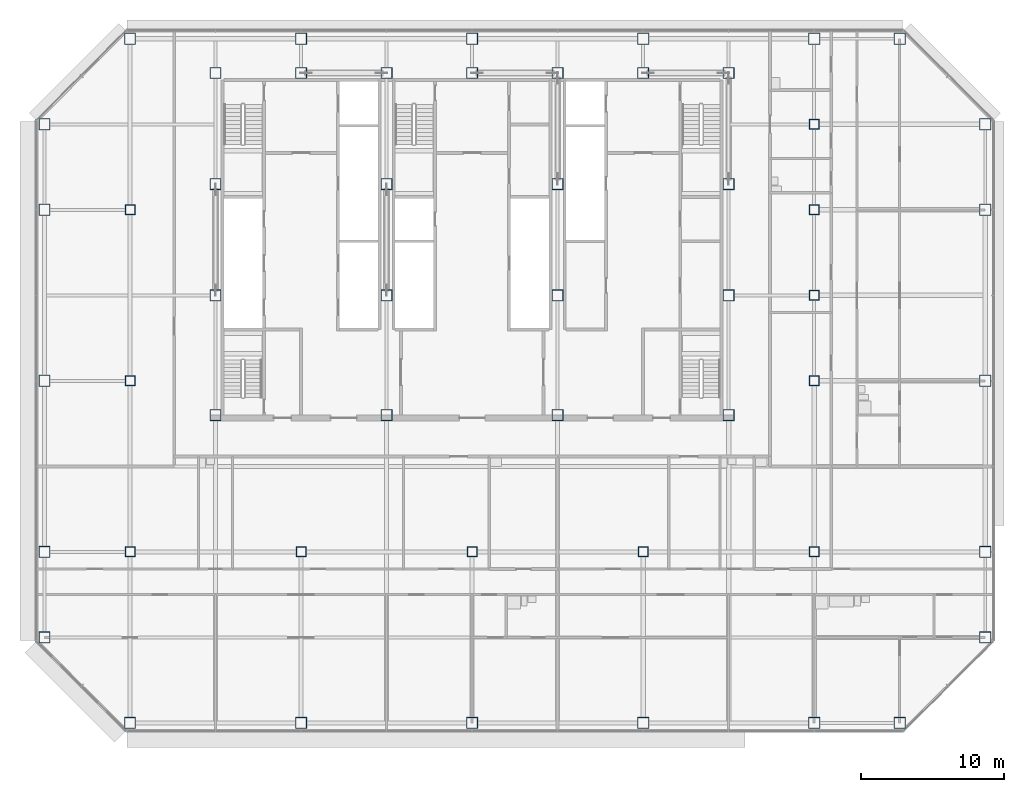
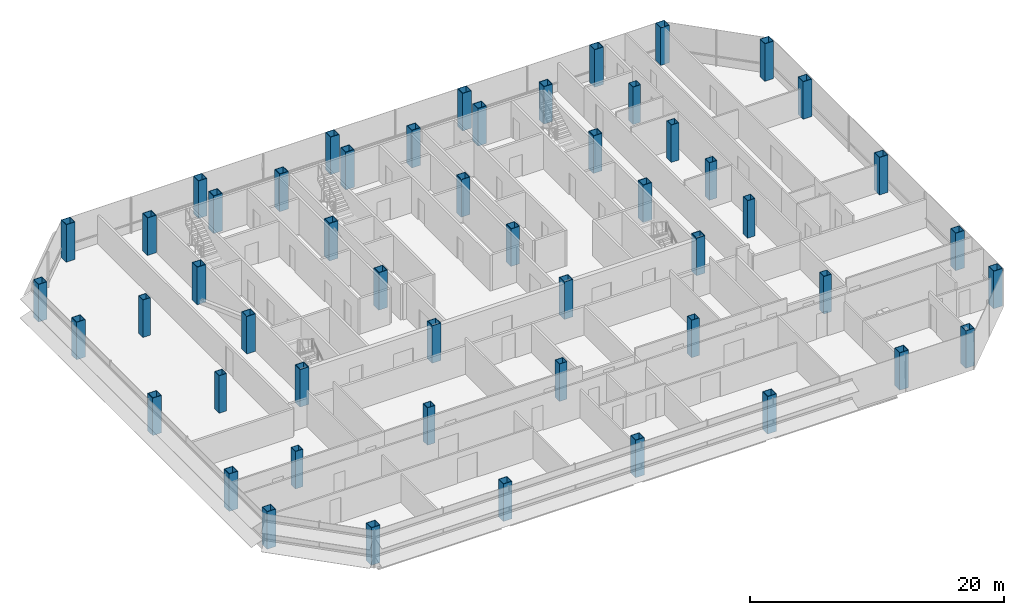
# One storey, part 1 of 25: 52 columns.
"""IFC4 building model written with IfcOpenShell, lengths in metres."""

import ifcopenshell
import ifcopenshell.guid

model = None  # the IFC model being written
_history = None  # IfcOwnerHistory: only IFC2X3 demands one
_inside = {}  # id of a spatial element -> (the spatial element, [elements in it])
_under = {}  # id of a project, library or spatial element -> (it, [spatial elements below it])
_declared = {}  # id of a project -> (the project, [libraries it declares])
_typed = {}  # id of a type object -> (the type object, [elements of that type])
_made_of = {}  # id of a material, layer set ... -> (it, [elements and type objects made of it])


def new_model(schema):
    """Start an empty IFC model of exactly this schema.

    Asked for "IFC4X3", IfcOpenShell would pick the latest addendum, in which some entities
    have other attributes; the version numbers below select the first issue.
    IFC2X3 requires an IfcOwnerHistory on every rooted entity: one is made here for all.
    """
    global model, _history
    if schema == "IFC4X3":
        model = ifcopenshell.file(schema_version=(4, 3, 0, 0))
    else:
        model = ifcopenshell.file(schema=schema)
    _inside.clear()
    _under.clear()
    _declared.clear()
    _typed.clear()
    _made_of.clear()
    _history = None
    if model.schema == "IFC2X3":
        org = make("IfcOrganization", Name="unknown")
        user = make(
            "IfcPersonAndOrganization",
            ThePerson=make("IfcPerson", FamilyName="unknown"),
            TheOrganization=org,
        )
        app = make(
            "IfcApplication",
            ApplicationDeveloper=org,
            Version="unknown",
            ApplicationFullName="unknown",
            ApplicationIdentifier="unknown",
        )
        _history = make(
            "IfcOwnerHistory",
            OwningUser=user,
            OwningApplication=app,
            ChangeAction="ADDED",
            CreationDate=0,
        )
    return model


def make(cls, **values):
    """One entity of the class cls with the attributes given. An attribute that is None is left unset."""
    return model.create_entity(
        cls, **{name: value for name, value in values.items() if value is not None}
    )


def rooted(cls, **values):
    """An entity with a GlobalId (a new one), such as an element, a storey or a relation."""
    return make(cls, GlobalId=ifcopenshell.guid.new(), OwnerHistory=_history, **values)


def si_unit(unit_type, name, prefix=None):
    """IfcSIUnit, for example si_unit("LENGTHUNIT", "METRE", prefix="MILLI")."""
    return make("IfcSIUnit", UnitType=unit_type, Prefix=prefix, Name=name)


def assignment(units):
    """IfcUnitAssignment: the units of a project."""
    return None if units is None else make("IfcUnitAssignment", Units=units)


def point(xyz):
    """IfcCartesianPoint."""
    return None if xyz is None else make("IfcCartesianPoint", Coordinates=xyz)


def direction(xyz):
    """IfcDirection."""
    return None if xyz is None else make("IfcDirection", DirectionRatios=xyz)


def frame(location, z_axis=None, x_axis=None):
    """IfcAxis2Placement3D, a coordinate frame: its origin and axes. An axis left out is left unset."""
    return make(
        "IfcAxis2Placement3D",
        Location=point(location),
        Axis=direction(z_axis),
        RefDirection=direction(x_axis),
    )


def frame_2d(location, x_axis=None):
    """IfcAxis2Placement2D, a coordinate frame in the plane: its origin and x axis."""
    return make(
        "IfcAxis2Placement2D", Location=point(location), RefDirection=direction(x_axis)
    )


def origin():
    """The frame at (0, 0, 0) with its axes left unset."""
    return frame((0.0, 0.0, 0.0))


def origin_2d():
    """The frame at (0, 0) in the plane with its x axis left unset."""
    return frame_2d((0.0, 0.0))


def place(relative_to, where):
    """IfcLocalPlacement: puts the frame where relative to a parent placement (None: the world)."""
    return make(
        "IfcLocalPlacement", PlacementRelTo=relative_to, RelativePlacement=where
    )


def context(
    kind, dimensions, precision=None, world=None, true_north=None, identifier=None
):
    """IfcGeometricRepresentationContext, for example the 3D "Model" context."""
    return make(
        "IfcGeometricRepresentationContext",
        ContextIdentifier=identifier,
        ContextType=kind,
        CoordinateSpaceDimension=dimensions,
        Precision=precision,
        WorldCoordinateSystem=world,
        TrueNorth=true_north,
    )


def subcontext(parent, identifier, kind, view, scale=None):
    """IfcGeometricRepresentationSubContext, for example "Body" below "Model"."""
    return make(
        "IfcGeometricRepresentationSubContext",
        ContextIdentifier=identifier,
        ContextType=kind,
        ParentContext=parent,
        TargetScale=scale,
        TargetView=view,
    )


def project(units=None, contexts=None):
    """IfcProject with its units and contexts."""
    return rooted(
        "IfcProject",
        Name="project",
        RepresentationContexts=contexts,
        UnitsInContext=assignment(units),
    )


def spatial(cls, under=None, at=None, **own):
    """A site, building, storey or space (cls), placed at a placement, below another one or the project."""
    s = rooted(cls, ObjectPlacement=at, **own)
    if under is not None:
        _under.setdefault(under.id(), (under, []))[1].append(s)
    return s


def profile(cls, at=None, kind="AREA", **sizes):
    """A parametric profile (cls). Its sizes go by their IFC names, for example OverallWidth=200.0."""
    return make(cls, ProfileType=kind, Position=at, **sizes)


def hollow_rectangle(**sizes):
    """IfcRectangleHollowProfileDef."""
    return profile("IfcRectangleHollowProfileDef", **sizes)


def extrude(swept, where, along, depth):
    """IfcExtrudedAreaSolid: the profile swept, set in the frame where, extruded along a direction by depth."""
    return make(
        "IfcExtrudedAreaSolid",
        SweptArea=swept,
        Position=where,
        ExtrudedDirection=direction(along),
        Depth=depth,
    )


def shape(context_of_items, identifier, shape_type, items):
    """IfcShapeRepresentation: the items that make up one representation, for example the "Body"."""
    return make(
        "IfcShapeRepresentation",
        ContextOfItems=context_of_items,
        RepresentationIdentifier=identifier,
        RepresentationType=shape_type,
        Items=items,
    )


def material(Name=None, Category=None):
    """IfcMaterial."""
    return make("IfcMaterial", Name=Name, Category=Category)


def material_profile(
    of_material, cross_section, Name=None, Category=None, Priority=None
):
    """IfcMaterialProfile: a cross section and its material."""
    return make(
        "IfcMaterialProfile",
        Name=Name,
        Material=of_material,
        Profile=cross_section,
        Priority=Priority,
        Category=Category,
    )


def profile_set(profiles, Name=None, composite=None):
    """IfcMaterialProfileSet."""
    return make(
        "IfcMaterialProfileSet",
        Name=Name,
        MaterialProfiles=profiles,
        CompositeProfile=composite,
    )


def made_of(thing, what):
    """Note that an element or type object is made of a material, layer set ...; save() writes the relation."""
    if what is not None:
        _made_of.setdefault(what.id(), (what, []))[1].append(thing)
    return thing


def type_object(cls, material=None, **own):
    """A type object (cls), such as IfcWallType, which elements share."""
    return made_of(rooted(cls, **own), material)


def element(
    cls,
    number,
    at=None,
    inside=None,
    cuts=None,
    type_object=None,
    material=None,
    context=None,
    identifier="Body",
    shape_type=None,
    held_by="IfcProductDefinitionShape",
    body=None,
    shapes=None,
    **own,
):
    """One element of the class cls, such as IfcWall. Its Tag is "e" and its number.

    at: its placement. inside: the storey or other place that contains it. cuts: it is an
    opening in that element (IfcRelVoidsElement). A single representation is given by context,
    identifier, shape_type and body (its items); several are given by shapes. held_by: the class
    of the entity that holds the representations. save() writes the other relations.
    """
    e = rooted(cls, Tag="e%d" % number, ObjectPlacement=at, **own)
    if body is not None:
        shapes = [shape(context, identifier, shape_type, body)]
    if shapes is not None:
        e.Representation = make(held_by, Representations=shapes)
    if inside is not None:
        _inside.setdefault(inside.id(), (inside, []))[1].append(e)
    if cuts is not None:
        rooted(
            "IfcRelVoidsElement", RelatingBuildingElement=cuts, RelatedOpeningElement=e
        )
    if type_object is not None:
        _typed.setdefault(type_object.id(), (type_object, []))[1].append(e)
    return made_of(e, material)


def aggregate(whole, parts):
    """IfcRelAggregates: a whole, such as a stair, and the parts it consists of."""
    return rooted("IfcRelAggregates", RelatingObject=whole, RelatedObjects=parts)


def save(model, path):
    """Write the relations noted so far, then the file.

    IfcRelAggregates (storeys below a building ...), IfcRelContainedInSpatialStructure (elements
    in a storey), IfcRelDefinesByType, IfcRelAssociatesMaterial and IfcRelDeclares: one each for
    every whole, place, type object, material and project.
    """
    for whole, parts in _under.values():
        aggregate(whole, parts)
    for where, things in _inside.values():
        rooted(
            "IfcRelContainedInSpatialStructure",
            RelatedElements=things,
            RelatingStructure=where,
        )
    for kind, things in _typed.values():
        rooted("IfcRelDefinesByType", RelatedObjects=things, RelatingType=kind)
    for what, things in _made_of.values():
        rooted("IfcRelAssociatesMaterial", RelatedObjects=things, RelatingMaterial=what)
    for by, libraries in _declared.values():
        rooted("IfcRelDeclares", RelatingContext=by, RelatedDefinitions=libraries)
    model.write(path)


model = new_model("IFC4")

# Units and contexts
model_context = context("Model", 3, precision=1e-05, world=origin(), true_north=direction((0.0, 1.0)))
body_context = subcontext(model_context, "Body", "Model", "MODEL_VIEW")
ifc_project = project(units=[si_unit("LENGTHUNIT", "METRE"), si_unit("AREAUNIT", "SQUARE_METRE"), si_unit("VOLUMEUNIT", "CUBIC_METRE"), si_unit("PLANEANGLEUNIT", "RADIAN"), si_unit("MASSUNIT", "GRAM", prefix="KILO")], contexts=[model_context])

# Site, building, storey
site_placement = place(None, origin())
site = spatial("IfcSite", under=ifc_project, at=site_placement, CompositionType="ELEMENT")
building_placement = place(site_placement, origin())
building = spatial("IfcBuilding", under=site, at=building_placement, Name="Sorahane Residences", CompositionType="ELEMENT")
storey_placement = place(building_placement, frame((0.0, 0.0, 130.39990234375)))
storey = spatial("IfcBuildingStorey", under=building, at=storey_placement, Name="L29", CompositionType="ELEMENT", Elevation=130.39990234375)

# Columns
ifc_material_1 = material(Name="Steel Q355B", Category="steel")
ifc_material_profile_1 = material_profile(ifc_material_1, hollow_rectangle(XDim=0.699951171875, YDim=0.699951171875, WallThickness=0.035888671875, at=origin_2d()), Name="BOX 700x700x36")
ifc_profile_set_1 = profile_set([ifc_material_profile_1], Name="Steel Q355B")
column_type_1 = type_object("IfcColumnType", Name="Steel box column BOX 700x700x36 Q355B", PredefinedType="COLUMN", material=ifc_profile_set_1)
for number, where, z_axis, x_axis, name in (
    (1, (0.0, 12.0, 0.0), (0.0, 0.0, 1.0), (1.0, 0.0, 0.0), "Column L29 0/12"),
    (2, (0.0, 24.0, 0.0), (0.0, 0.0, 1.0), (1.0, 0.0, 0.0), "Column L29 0/24"),
    (3, (0.0, 36.0, 0.0), (0.0, 0.0, 1.0), (1.0, 0.0, 0.0), "Column L29 0/36"),
    (4, (12.0, 12.0, 0.0), (0.0, 0.0, 1.0), (1.0, 0.0, 0.0), "Column L29 12/12"),
    (5, (24.0, 12.0, 0.0), (0.0, 0.0, 1.0), (1.0, 0.0, 0.0), "Column L29 24/12"),
    (6, (36.0, 12.0, 0.0), (0.0, 0.0, 1.0), (1.0, 0.0, 0.0), "Column L29 36/12"),
    (7, (48.0, 12.0, 0.0), (0.0, 0.0, 1.0), (1.0, 0.0, 0.0), "Column L29 48/12"),
    (8, (48.0, 24.0, 0.0), (0.0, 0.0, 1.0), (1.0, 0.0, 0.0), "Column L29 48/24"),
    (9, (48.0, 30.0, 0.0), (0.0, 0.0, 1.0), (1.0, 0.0, 0.0), "Column L29 48/30"),
    (10, (48.0, 36.0, 0.0), (0.0, 0.0, 1.0), (1.0, 0.0, 0.0), "Column L29 48/36"),
    (11, (48.0, 42.0, 0.0), (0.0, 0.0, 1.0), (1.0, 0.0, 0.0), "Column L29 48/42"),
):
    element("IfcColumn", number, at=place(storey_placement, frame(where, z_axis=z_axis, x_axis=x_axis)), inside=storey, type_object=column_type_1, Name=name, PredefinedType="COLUMN", context=body_context, shape_type="SweptSolid", body=[
        extrude(hollow_rectangle(XDim=0.699951171875, YDim=0.699951171875, WallThickness=0.035888671875, at=origin_2d()), origin(), (0.0, 0.0, 1.0), 3.60009765625),
    ])
ifc_material_2 = material(Name="Steel Q355B", Category="steel")
ifc_material_profile_2 = material_profile(ifc_material_2, hollow_rectangle(XDim=0.800048828125, YDim=0.800048828125, WallThickness=0.0400390625, at=origin_2d()), Name="BOX 800x800x40")
ifc_profile_set_2 = profile_set([ifc_material_profile_2], Name="Steel Q355B")
column_type_2 = type_object("IfcColumnType", Name="Steel box column BOX 800x800x40 Q355B", PredefinedType="COLUMN", material=ifc_profile_set_2)
for number, where, z_axis, x_axis, name in (
    (12, (-6.0, 6.0, 0.0), (0.0, 0.0, 1.0), (1.0, 0.0, 0.0), "Column L29 m6/6"),
    (13, (-6.0, 12.0, 0.0), (0.0, 0.0, 1.0), (1.0, 0.0, 0.0), "Column L29 m6/12"),
    (14, (-6.0, 24.0, 0.0), (0.0, 0.0, 1.0), (1.0, 0.0, 0.0), "Column L29 m6/24"),
    (15, (-6.0, 36.0, 0.0), (0.0, 0.0, 1.0), (1.0, 0.0, 0.0), "Column L29 m6/36"),
    (16, (-6.0, 42.0, 0.0), (0.0, 0.0, 1.0), (1.0, 0.0, 0.0), "Column L29 m6/42"),
    (17, (0.0, 0.0, 0.0), (0.0, 0.0, 1.0), (1.0, 0.0, 0.0), "Column L29 0/0"),
    (18, (0.0, 48.0, 0.0), (0.0, 0.0, 1.0), (1.0, 0.0, 0.0), "Column L29 0/48"),
    (19, (12.0, 0.0, 0.0), (0.0, 0.0, 1.0), (1.0, 0.0, 0.0), "Column L29 12/0"),
    (20, (12.0, 48.0, 0.0), (0.0, 0.0, 1.0), (1.0, 0.0, 0.0), "Column L29 12/48"),
    (21, (24.0, 0.0, 0.0), (0.0, 0.0, 1.0), (1.0, 0.0, 0.0), "Column L29 24/0"),
    (22, (24.0, 48.0, 0.0), (0.0, 0.0, 1.0), (1.0, 0.0, 0.0), "Column L29 24/48"),
    (23, (36.0, 0.0, 0.0), (0.0, 0.0, 1.0), (1.0, 0.0, 0.0), "Column L29 36/0"),
    (24, (36.0, 48.0, 0.0), (0.0, 0.0, 1.0), (1.0, 0.0, 0.0), "Column L29 36/48"),
    (25, (48.0, 0.0, 0.0), (0.0, 0.0, 1.0), (1.0, 0.0, 0.0), "Column L29 48/0"),
    (26, (48.0, 48.0, 0.0), (0.0, 0.0, 1.0), (1.0, 0.0, 0.0), "Column L29 48/48"),
    (27, (54.0, 0.0, 0.0), (0.0, 0.0, 1.0), (1.0, 0.0, 0.0), "Column L29 54/0"),
    (28, (54.0, 48.0, 0.0), (0.0, 0.0, 1.0), (1.0, 0.0, 0.0), "Column L29 54/48"),
    (29, (60.0, 6.0, 0.0), (0.0, 0.0, 1.0), (1.0, 0.0, 0.0), "Column L29 60/6"),
    (30, (60.0, 12.0, 0.0), (0.0, 0.0, 1.0), (1.0, 0.0, 0.0), "Column L29 60/12"),
    (31, (60.0, 24.0, 0.0), (0.0, 0.0, 1.0), (1.0, 0.0, 0.0), "Column L29 60/24"),
    (32, (60.0, 36.0, 0.0), (0.0, 0.0, 1.0), (1.0, 0.0, 0.0), "Column L29 60/36"),
    (33, (60.0, 42.0, 0.0), (0.0, 0.0, 1.0), (1.0, 0.0, 0.0), "Column L29 60/42"),
):
    element("IfcColumn", number, at=place(storey_placement, frame(where, z_axis=z_axis, x_axis=x_axis)), inside=storey, type_object=column_type_2, Name=name, PredefinedType="COLUMN", context=body_context, shape_type="SweptSolid", body=[
        extrude(hollow_rectangle(XDim=0.800048828125, YDim=0.800048828125, WallThickness=0.0400390625, at=origin_2d()), origin(), (0.0, 0.0, 1.0), 3.60009765625),
    ])
ifc_material_3 = material(Name="Steel Q420GJ", Category="steel")
ifc_material_profile_3 = material_profile(ifc_material_3, hollow_rectangle(XDim=0.800048828125, YDim=0.800048828125, WallThickness=0.050048828125, at=origin_2d()), Name="BOX 800x800x50")
ifc_profile_set_3 = profile_set([ifc_material_profile_3], Name="Steel Q420GJ")
column_type_3 = type_object("IfcColumnType", Name="Steel box column BOX 800x800x50 Q420GJ", PredefinedType="COLUMN", material=ifc_profile_set_3)
for number, where, z_axis, x_axis, name in (
    (34, (6.0, 21.60009765625, 0.0), (0.0, 0.0, 1.0), (1.0, 0.0, 0.0), "Column L29 6/21.6"),
    (35, (6.0, 30.0, 0.0), (0.0, 0.0, 1.0), (1.0, 0.0, 0.0), "Column L29 6/30"),
    (36, (6.0, 37.800048828125, 0.0), (0.0, 0.0, 1.0), (1.0, 0.0, 0.0), "Column L29 6/37.8"),
    (37, (6.0, 45.60009765625, 0.0), (0.0, 0.0, 1.0), (1.0, 0.0, 0.0), "Column L29 6/45.6"),
    (38, (12.0, 45.60009765625, 0.0), (0.0, 0.0, 1.0), (1.0, 0.0, 0.0), "Column L29 12/45.6"),
    (39, (18.0, 21.60009765625, 0.0), (0.0, 0.0, 1.0), (1.0, 0.0, 0.0), "Column L29 18/21.6"),
    (40, (18.0, 30.0, 0.0), (0.0, 0.0, 1.0), (1.0, 0.0, 0.0), "Column L29 18/30"),
    (41, (18.0, 37.800048828125, 0.0), (0.0, 0.0, 1.0), (1.0, 0.0, 0.0), "Column L29 18/37.8"),
    (42, (18.0, 45.60009765625, 0.0), (0.0, 0.0, 1.0), (1.0, 0.0, 0.0), "Column L29 18/45.6"),
    (43, (24.0, 45.60009765625, 0.0), (0.0, 0.0, 1.0), (1.0, 0.0, 0.0), "Column L29 24/45.6"),
    (44, (30.0, 21.60009765625, 0.0), (0.0, 0.0, 1.0), (1.0, 0.0, 0.0), "Column L29 30/21.6"),
    (45, (30.0, 30.0, 0.0), (0.0, 0.0, 1.0), (1.0, 0.0, 0.0), "Column L29 30/30"),
    (46, (30.0, 37.800048828125, 0.0), (0.0, 0.0, 1.0), (1.0, 0.0, 0.0), "Column L29 30/37.8"),
    (47, (30.0, 45.60009765625, 0.0), (0.0, 0.0, 1.0), (1.0, 0.0, 0.0), "Column L29 30/45.6"),
    (48, (36.0, 45.60009765625, 0.0), (0.0, 0.0, 1.0), (1.0, 0.0, 0.0), "Column L29 36/45.6"),
    (49, (42.0, 21.60009765625, 0.0), (0.0, 0.0, 1.0), (1.0, 0.0, 0.0), "Column L29 42/21.6"),
    (50, (42.0, 30.0, 0.0), (0.0, 0.0, 1.0), (1.0, 0.0, 0.0), "Column L29 42/30"),
    (51, (42.0, 37.800048828125, 0.0), (0.0, 0.0, 1.0), (1.0, 0.0, 0.0), "Column L29 42/37.8"),
    (52, (42.0, 45.60009765625, 0.0), (0.0, 0.0, 1.0), (1.0, 0.0, 0.0), "Column L29 42/45.6"),
):
    element("IfcColumn", number, at=place(storey_placement, frame(where, z_axis=z_axis, x_axis=x_axis)), inside=storey, type_object=column_type_3, Name=name, PredefinedType="COLUMN", context=body_context, shape_type="SweptSolid", body=[
        extrude(hollow_rectangle(XDim=0.800048828125, YDim=0.800048828125, WallThickness=0.050048828125, at=origin_2d()), origin(), (0.0, 0.0, 1.0), 3.60009765625),
    ])

save(model, "model.ifc")
